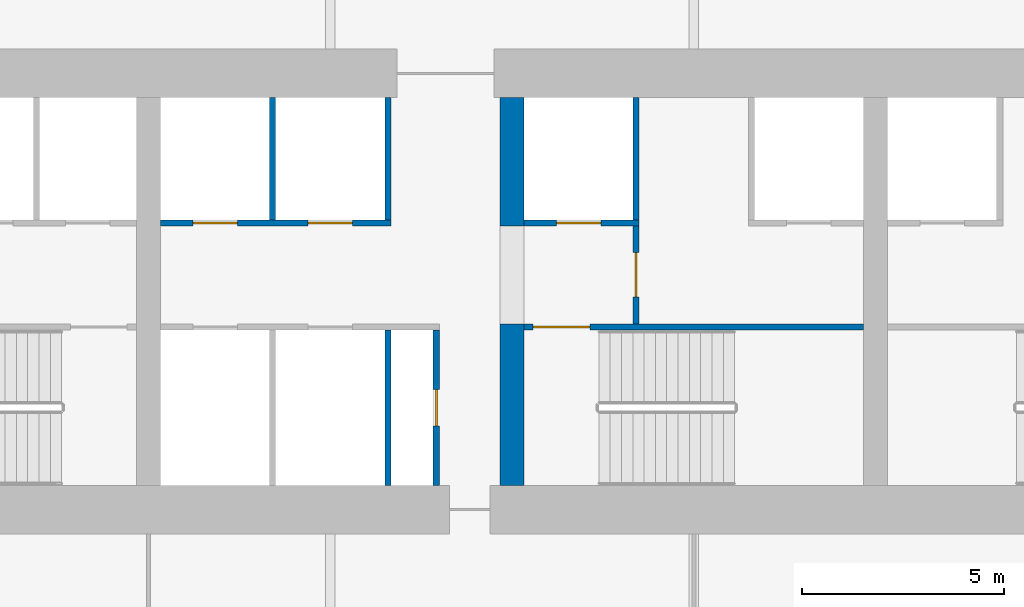
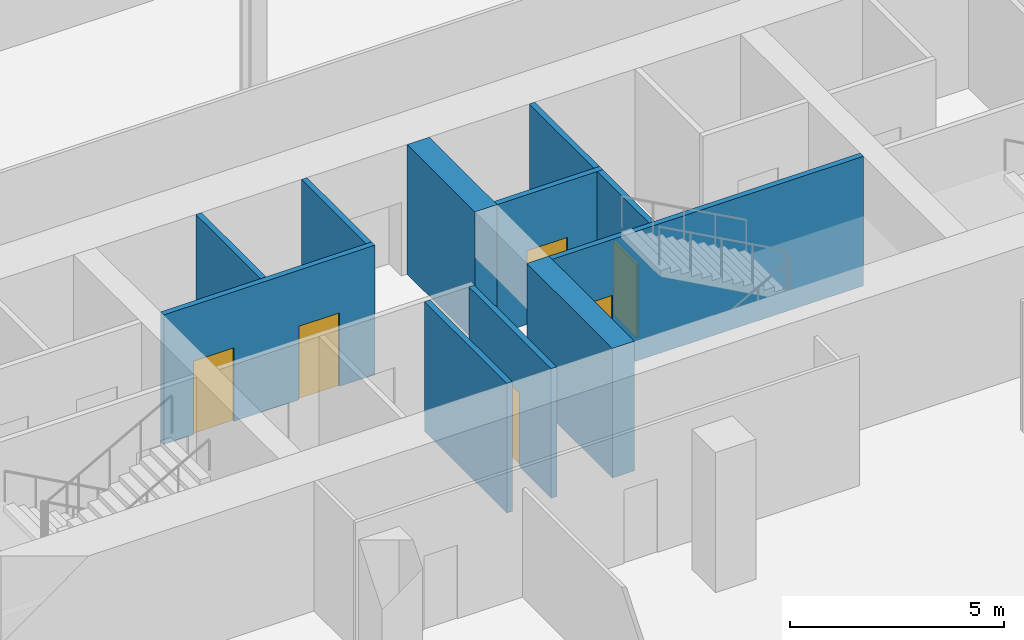
# One storey, part 4 of 12: 11 walls, 6 doors, 6 openings.
"""IFC4 building model written with IfcOpenShell, lengths in metres."""

from ifc_helpers import new_model, si_unit, direction, frame, frame_2d, origin, place, context, subcontext, project, spatial, rectangle, extrude, material, layer, layer_set, type_object, element, fill, save


model = new_model("IFC4")

# Units and contexts
model_context = context("Model", 3, precision=1e-05, world=origin(), true_north=direction((0.0, 1.0)))
body_context = subcontext(model_context, "Body", "Model", "MODEL_VIEW")
ifc_project = project(units=[si_unit("LENGTHUNIT", "METRE"), si_unit("AREAUNIT", "SQUARE_METRE"), si_unit("VOLUMEUNIT", "CUBIC_METRE"), si_unit("PLANEANGLEUNIT", "RADIAN"), si_unit("MASSUNIT", "GRAM", prefix="KILO")], contexts=[model_context])

# Site, building, storey
site_placement = place(None, origin())
site = spatial("IfcSite", under=ifc_project, at=site_placement, CompositionType="ELEMENT")
building_placement = place(site_placement, origin())
building = spatial("IfcBuilding", under=site, at=building_placement, Name="Zellij Exchange Tower", CompositionType="ELEMENT")
storey_placement = place(building_placement, frame((0.0, 0.0, 96.5)))
storey = spatial("IfcBuildingStorey", under=building, at=storey_placement, Name="L20", CompositionType="ELEMENT", Elevation=96.5)

# Walls
ifc_material_1 = material(Name="Concrete C70/85", Category="concrete")
ifc_layer_1 = layer(ifc_material_1, 0.60009765625)
ifc_layer_set_1 = layer_set([ifc_layer_1], Name="Concrete C70/85")
wall_type_1 = type_object("IfcWallType", Name="CORE-CW 600 C70/85", PredefinedType="SHEAR", material=ifc_layer_set_1)
wall_1_placement = place(storey_placement, frame((-9.0, -12.800048828125, 0.0), z_axis=(0.0, 0.0, 1.0), x_axis=(0.0, 1.0, 0.0)))
element("IfcWall", 1, at=wall_1_placement, inside=storey, type_object=wall_type_1, Name="Core cross wall pier x -9 a L20", PredefinedType="SHEAR", context=body_context, shape_type="SweptSolid", body=[
    extrude(rectangle(XDim=4.0, YDim=0.60009765625, at=frame_2d((2.0, 0.0))), origin(), (0.0, 0.0, 1.0), 3.699951171875),
])
wall_2_placement = place(storey_placement, frame((-9.0, -6.375, 0.0), z_axis=(0.0, 0.0, 1.0), x_axis=(0.0, 1.0, 0.0)))
element("IfcWall", 2, at=wall_2_placement, inside=storey, type_object=wall_type_1, Name="Core cross wall pier x -9 b L20", PredefinedType="SHEAR", context=body_context, shape_type="SweptSolid", body=[
    extrude(rectangle(XDim=3.175048828125, YDim=0.60009765625, at=frame_2d((1.58740234375, 0.0))), origin(), (0.0, 0.0, 1.0), 3.699951171875),
])

# Wall, opening, door
ifc_material_2 = material(Name="Gypsum shaft wall system")
ifc_layer_2 = layer(ifc_material_2, 0.14990234375)
ifc_layer_set_2 = layer_set([ifc_layer_2], Name="Gypsum shaft wall system")
wall_type_2 = type_object("IfcWallType", Name="CORE-PW 150 Firefighting lobby wall", PredefinedType="PARTITIONING", material=ifc_layer_set_2)
wall_3_placement = place(storey_placement, frame((-5.925048828125, -8.800048828125, 0.0), z_axis=(0.0, 0.0, 1.0), x_axis=(0.0, 1.0, 0.0)))
wall_3 = element("IfcWall", 3, at=wall_3_placement, inside=storey, type_object=wall_type_2, Name="Firefighting lobby wall L20", PredefinedType="PARTITIONING", context=body_context, shape_type="SweptSolid", body=[
    extrude(rectangle(XDim=2.425048828125, YDim=0.14990234375, at=frame_2d((1.21240234375, 0.0))), origin(), (0.0, 0.0, 1.0), 3.699951171875),
])
opening_1_placement = place(wall_3_placement, frame((0.662109375, 0.0, 0.0)))
opening_1 = element("IfcOpeningElement", 4, at=opening_1_placement, cuts=wall_3, Name="Opening CA-10.15", PredefinedType="OPENING", context=body_context, shape_type="SweptSolid", body=[
    extrude(rectangle(XDim=1.10009765625, YDim=2.10009765625, at=frame_2d((0.550048828125, 1.050048828125))), frame((0.0, 0.0869140625, 0.0), z_axis=(0.0, -1.0, 0.0), x_axis=(1.0, 0.0, 0.0)), (0.0, 0.0, 1.0), 0.173828125),
])
ifc_material_3 = material(Name="Hollow metal fire door")
door_type_1 = type_object("IfcDoorType", Name="CORE-D F Firefighting lobby door 1100x2100 1 HR", OperationType="NOTDEFINED", PredefinedType="DOOR", material=ifc_material_3)
door_1_placement = place(opening_1_placement, origin())
door_1 = element("IfcDoor", 5, at=door_1_placement, inside=storey, type_object=door_type_1, Name="Firefighting lobby door CA-10.15", OperationType="SINGLE_SWING_LEFT", OverallHeight=2.10009765625, OverallWidth=1.10009765625, PredefinedType="DOOR", context=body_context, shape_type="SweptSolid", body=[
    extrude(rectangle(XDim=1.10009765625, YDim=2.10009765625, at=frame_2d((0.550048828125, 1.050048828125))), frame((0.0, 0.02490234375, 0.0), z_axis=(0.0, -1.0, 0.0), x_axis=(1.0, 0.0, 0.0)), (0.0, 0.0, 1.0), 0.050048828125),
])
fill(opening_1, door_1)

ifc_material_4 = material(Name="Gypsum board partition")
ifc_layer_3 = layer(ifc_material_4, 0.14990234375)
ifc_layer_set_3 = layer_set([ifc_layer_3], Name="Gypsum board partition")
wall_type_3 = type_object("IfcWallType", Name="CORE-PW 150 Lift lobby wall", PredefinedType="PARTITIONING", material=ifc_layer_set_3)
wall_4_placement = place(storey_placement, frame((-10.875, -12.800048828125, 0.0), z_axis=(0.0, 0.0, 1.0), x_axis=(0.0, 1.0, 0.0)))
wall_4 = element("IfcWall", 6, at=wall_4_placement, inside=storey, type_object=wall_type_3, Name="Lift lobby wall L20", PredefinedType="PARTITIONING", context=body_context, shape_type="SweptSolid", body=[
    extrude(rectangle(XDim=3.85009765625, YDim=0.14990234375, at=frame_2d((1.925048828125, 0.0))), origin(), (0.0, 0.0, 1.0), 3.699951171875),
])
opening_2_placement = place(wall_4_placement, frame((1.47509765625, 0.0, 0.0)))
opening_2 = element("IfcOpeningElement", 7, at=opening_2_placement, cuts=wall_4, Name="Opening CA-10.10", PredefinedType="OPENING", context=body_context, shape_type="SweptSolid", body=[
    extrude(rectangle(XDim=0.89990234375, YDim=2.10009765625, at=frame_2d((0.449951171875, 1.050048828125))), frame((0.0, 0.0869140625, 0.0), z_axis=(0.0, -1.0, 0.0), x_axis=(1.0, 0.0, 0.0)), (0.0, 0.0, 1.0), 0.173828125),
])
door_type_2 = type_object("IfcDoorType", Name="CORE-D RD Riser door 900x2100 1.5 HR", OperationType="NOTDEFINED", PredefinedType="DOOR", material=ifc_material_3)
door_2_placement = place(opening_2_placement, origin())
door_2 = element("IfcDoor", 8, at=door_2_placement, inside=storey, type_object=door_type_2, Name="Riser door CA-10.10", OperationType="SINGLE_SWING_RIGHT", OverallHeight=2.10009765625, OverallWidth=0.89990234375, PredefinedType="DOOR", context=body_context, shape_type="SweptSolid", body=[
    extrude(rectangle(XDim=0.89990234375, YDim=2.10009765625, at=frame_2d((0.449951171875, 1.050048828125))), frame((0.0, 0.02490234375, 0.0), z_axis=(0.0, -1.0, 0.0), x_axis=(1.0, 0.0, 0.0)), (0.0, 0.0, 1.0), 0.050048828125),
])
fill(opening_2, door_2)

# Walls
ifc_layer_4 = layer(ifc_material_2, 0.14990234375)
ifc_layer_set_4 = layer_set([ifc_layer_4], Name="Gypsum shaft wall system")
wall_type_4 = type_object("IfcWallType", Name="CORE-PW 150 Lift shaft wall", PredefinedType="PARTITIONING", material=ifc_layer_set_4)
for number, where, z_axis, x_axis, name in (
    (9, (-12.074951171875, -6.22509765625, 0.0), (0.0, 0.0, 1.0), (0.0, 1.0, 0.0), "Lift shaft wall L20"),
    (10, (-14.925048828125, -6.22509765625, 0.0), (0.0, 0.0, 1.0), (0.0, 1.0, 0.0), "Lift shaft wall L20"),
    (11, (-5.925048828125, -6.22509765625, 0.0), (0.0, 0.0, 1.0), (0.0, 1.0, 0.0), "Lift shaft wall L20"),
):
    element("IfcWall", number, at=place(storey_placement, frame(where, z_axis=z_axis, x_axis=x_axis)), inside=storey, type_object=wall_type_4, Name=name, PredefinedType="PARTITIONING", context=body_context, shape_type="SweptSolid", body=[
        extrude(rectangle(XDim=3.025146484375, YDim=0.14990234375, at=frame_2d((1.5126953125, 0.0))), origin(), (0.0, 0.0, 1.0), 3.699951171875),
    ])
wall_5_placement = place(storey_placement, frame((-12.074951171875, -12.800048828125, 0.0), z_axis=(0.0, 0.0, 1.0), x_axis=(0.0, 1.0, 0.0)))
element("IfcWall", 12, at=wall_5_placement, inside=storey, type_object=wall_type_4, Name="Lift shaft wall L20", PredefinedType="PARTITIONING", context=body_context, shape_type="SweptSolid", body=[
    extrude(rectangle(XDim=3.85009765625, YDim=0.14990234375, at=frame_2d((1.925048828125, 0.0))), origin(), (0.0, 0.0, 1.0), 3.699951171875),
])

# Wall, openings, doors
wall_6_placement = place(storey_placement, frame((-17.699951171875, -6.300048828125, 0.0), z_axis=(0.0, 0.0, 1.0), x_axis=(1.0, 0.0, 0.0)))
wall_6 = element("IfcWall", 13, at=wall_6_placement, inside=storey, type_object=wall_type_4, Name="Lift shaft wall L20", PredefinedType="PARTITIONING", context=body_context, shape_type="SweptSolid", body=[
    extrude(rectangle(XDim=5.699951171875, YDim=0.14990234375, at=frame_2d((2.85009765625, 0.0))), origin(), (0.0, 0.0, 1.0), 3.699951171875),
])
opening_3_placement = place(wall_6_placement, frame((0.800048828125, 0.0, 0.0)))
opening_3 = element("IfcOpeningElement", 14, at=opening_3_placement, cuts=wall_6, Name="Opening CA-10.07", PredefinedType="OPENING", context=body_context, shape_type="SweptSolid", body=[
    extrude(rectangle(XDim=1.10009765625, YDim=2.10009765625, at=frame_2d((0.550048828125, 1.050048828125))), frame((0.0, 0.0869140625, 0.0), z_axis=(0.0, -1.0, 0.0), x_axis=(1.0, 0.0, 0.0)), (0.0, 0.0, 1.0), 0.173828125),
])
opening_4_placement = place(wall_6_placement, frame((3.64990234375, 0.0, 0.0)))
opening_4 = element("IfcOpeningElement", 15, at=opening_4_placement, cuts=wall_6, Name="Opening CA-10.09", PredefinedType="OPENING", context=body_context, shape_type="SweptSolid", body=[
    extrude(rectangle(XDim=1.10009765625, YDim=2.10009765625, at=frame_2d((0.550048828125, 1.050048828125))), frame((0.0, 0.0869140625, 0.0), z_axis=(0.0, -1.0, 0.0), x_axis=(1.0, 0.0, 0.0)), (0.0, 0.0, 1.0), 0.173828125),
])
door_type_3 = type_object("IfcDoorType", Name="CORE-D LD Lift landing door 1100x2100 1.5 HR", OperationType="NOTDEFINED", PredefinedType="DOOR", material=ifc_material_3)
door_3_placement = place(opening_3_placement, origin())
door_3 = element("IfcDoor", 16, at=door_3_placement, inside=storey, type_object=door_type_3, Name="Lift landing door CA-10.07", OperationType="SLIDING_TO_LEFT", OverallHeight=2.10009765625, OverallWidth=1.10009765625, PredefinedType="DOOR", context=body_context, shape_type="SweptSolid", body=[
    extrude(rectangle(XDim=1.10009765625, YDim=2.10009765625, at=frame_2d((0.550048828125, 1.050048828125))), frame((0.0, 0.02490234375, 0.0), z_axis=(0.0, -1.0, 0.0), x_axis=(1.0, 0.0, 0.0)), (0.0, 0.0, 1.0), 0.050048828125),
])
fill(opening_3, door_3)
door_4_placement = place(opening_4_placement, origin())
door_4 = element("IfcDoor", 17, at=door_4_placement, inside=storey, type_object=door_type_3, Name="Lift landing door CA-10.09", OperationType="SLIDING_TO_LEFT", OverallHeight=2.10009765625, OverallWidth=1.10009765625, PredefinedType="DOOR", context=body_context, shape_type="SweptSolid", body=[
    extrude(rectangle(XDim=1.10009765625, YDim=2.10009765625, at=frame_2d((0.550048828125, 1.050048828125))), frame((0.0, 0.02490234375, 0.0), z_axis=(0.0, -1.0, 0.0), x_axis=(1.0, 0.0, 0.0)), (0.0, 0.0, 1.0), 0.050048828125),
])
fill(opening_4, door_4)

# Wall, opening, door
wall_7_placement = place(storey_placement, frame((-8.699951171875, -6.300048828125, 0.0), z_axis=(0.0, 0.0, 1.0), x_axis=(1.0, 0.0, 0.0)))
wall_7 = element("IfcWall", 18, at=wall_7_placement, inside=storey, type_object=wall_type_4, Name="Lift shaft wall L20", PredefinedType="PARTITIONING", context=body_context, shape_type="SweptSolid", body=[
    extrude(rectangle(XDim=2.849853515625, YDim=0.14990234375, at=frame_2d((1.4248046875, 0.0))), origin(), (0.0, 0.0, 1.0), 3.699951171875),
])
opening_5_placement = place(wall_7_placement, frame((0.800048828125, 0.0, 0.0)))
opening_5 = element("IfcOpeningElement", 19, at=opening_5_placement, cuts=wall_7, Name="Opening CA-10.14", PredefinedType="OPENING", context=body_context, shape_type="SweptSolid", body=[
    extrude(rectangle(XDim=1.10009765625, YDim=2.10009765625, at=frame_2d((0.550048828125, 1.050048828125))), frame((0.0, 0.0869140625, 0.0), z_axis=(0.0, -1.0, 0.0), x_axis=(1.0, 0.0, 0.0)), (0.0, 0.0, 1.0), 0.173828125),
])
door_5_placement = place(opening_5_placement, origin())
door_5 = element("IfcDoor", 20, at=door_5_placement, inside=storey, type_object=door_type_3, Name="Lift landing door CA-10.14", OperationType="SLIDING_TO_RIGHT", OverallHeight=2.10009765625, OverallWidth=1.10009765625, PredefinedType="DOOR", context=body_context, shape_type="SweptSolid", body=[
    extrude(rectangle(XDim=1.10009765625, YDim=2.10009765625, at=frame_2d((0.550048828125, 1.050048828125))), frame((0.0, 0.02490234375, 0.0), z_axis=(0.0, -1.0, 0.0), x_axis=(1.0, 0.0, 0.0)), (0.0, 0.0, 1.0), 0.050048828125),
])
fill(opening_5, door_5)

ifc_layer_5 = layer(ifc_material_1, 0.14990234375)
ifc_layer_set_5 = layer_set([ifc_layer_5], Name="Concrete C70/85")
wall_type_5 = type_object("IfcWallType", Name="CORE-SWS 150 C70/85", PredefinedType="SHEAR", material=ifc_layer_set_5)
wall_8_placement = place(storey_placement, frame((-8.699951171875, -8.875, 0.0), z_axis=(0.0, 0.0, 1.0), x_axis=(1.0, 0.0, 0.0)))
wall_8 = element("IfcWall", 21, at=wall_8_placement, inside=storey, type_object=wall_type_5, Name="Stair enclosure wall L20", PredefinedType="SHEAR", context=body_context, shape_type="SweptSolid", body=[
    extrude(rectangle(XDim=8.39990234375, YDim=0.14990234375, at=frame_2d((4.199951171875, 0.0))), origin(), (0.0, 0.0, 1.0), 3.699951171875),
])
opening_6_placement = place(wall_8_placement, frame((0.22509765625, 0.0, 0.0)))
opening_6 = element("IfcOpeningElement", 22, at=opening_6_placement, cuts=wall_8, Name="Opening CA-10.13", PredefinedType="OPENING", context=body_context, shape_type="SweptSolid", body=[
    extrude(rectangle(XDim=1.39990234375, YDim=2.10009765625, at=frame_2d((0.699951171875, 1.050048828125))), frame((0.0, 0.0869140625, 0.0), z_axis=(0.0, -1.0, 0.0), x_axis=(1.0, 0.0, 0.0)), (0.0, 0.0, 1.0), 0.173828125),
])
door_type_4 = type_object("IfcDoorType", Name="CORE-D SD Stair door 1400x2100 1.5 HR", OperationType="NOTDEFINED", PredefinedType="DOOR", material=ifc_material_3)
door_6_placement = place(opening_6_placement, origin())
door_6 = element("IfcDoor", 23, at=door_6_placement, inside=storey, type_object=door_type_4, Name="Stair door CA-10.13", OperationType="DOUBLE_DOOR_SINGLE_SWING", OverallHeight=2.10009765625, OverallWidth=1.39990234375, PredefinedType="DOOR", context=body_context, shape_type="SweptSolid", body=[
    extrude(rectangle(XDim=1.39990234375, YDim=2.10009765625, at=frame_2d((0.699951171875, 1.050048828125))), frame((0.0, 0.02490234375, 0.0), z_axis=(0.0, -1.0, 0.0), x_axis=(1.0, 0.0, 0.0)), (0.0, 0.0, 1.0), 0.050048828125),
])
fill(opening_6, door_6)

save(model, "model.ifc")
